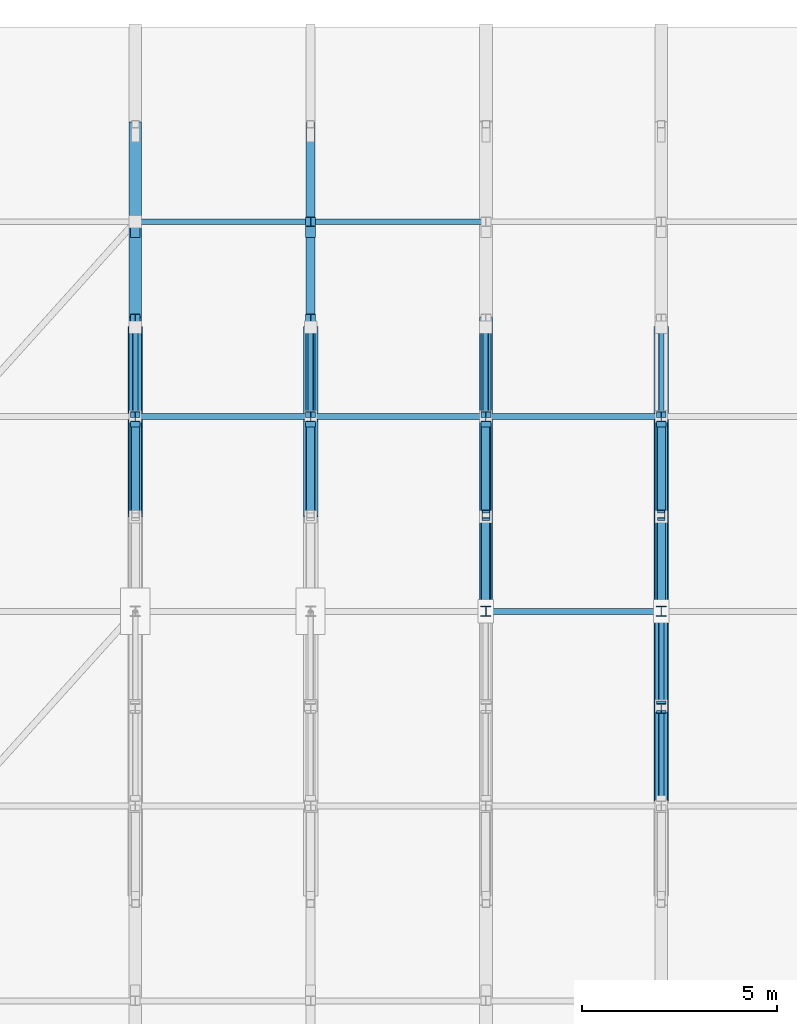
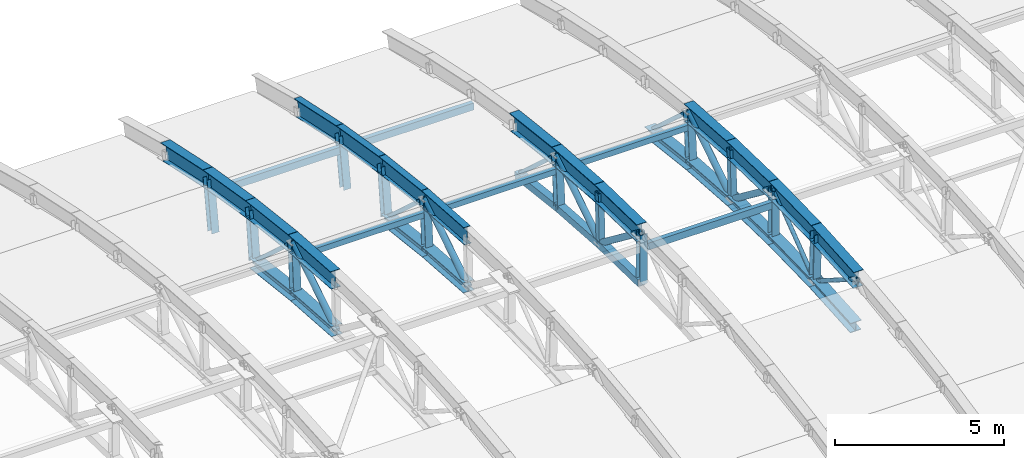
# One storey, part 26 of 53: 43 members, 15 beams.
"""IFC4 building model written with IfcOpenShell, lengths in metres."""

from ifc_helpers import new_model, si_unit, direction, frame, origin, origin_2d, place, context, subcontext, project, spatial, hollow_rectangle, hollow_circle, i_section, extrude, material, material_profile, profile_set, type_object, element, save


model = new_model("IFC4")

# Units and contexts
model_context = context("Model", 3, precision=1e-05, world=origin(), true_north=direction((0.0, 1.0)))
body_context = subcontext(model_context, "Body", "Model", "MODEL_VIEW")
ifc_project = project(units=[si_unit("LENGTHUNIT", "METRE"), si_unit("AREAUNIT", "SQUARE_METRE"), si_unit("VOLUMEUNIT", "CUBIC_METRE"), si_unit("PLANEANGLEUNIT", "RADIAN"), si_unit("MASSUNIT", "GRAM", prefix="KILO")], contexts=[model_context])

# Site, building, storey
site_placement = place(None, origin())
site = spatial("IfcSite", under=ifc_project, at=site_placement, CompositionType="ELEMENT")
building_placement = place(site_placement, origin())
building = spatial("IfcBuilding", under=site, at=building_placement, Name="Cazmaro Siding Exhibition Halls", CompositionType="ELEMENT")
storey_placement = place(building_placement, frame((0.0, 0.0, 21.0)))
storey = spatial("IfcBuildingStorey", under=building, at=storey_placement, Name="L04", CompositionType="ELEMENT", Elevation=21.0)

# Beams
ifc_material_1 = material(Name="Steel ASTM A992 Grade 50", Category="steel")
ifc_material_profile_1 = material_profile(ifc_material_1, i_section(OverallWidth=0.327880859375, OverallDepth=0.626953125, WebThickness=0.01708984375, FlangeThickness=0.028076171875, at=origin_2d()), Name="W24X146")
ifc_profile_set_1 = profile_set([ifc_material_profile_1], Name="Steel ASTM A992 Grade 50")
beam_type_1 = type_object("IfcBeamType", Name="AR-01", PredefinedType="USERDEFINED", material=ifc_profile_set_1)
beam_1_placement = place(storey_placement, frame((153.0, 94.0, 2.5), z_axis=(0.0, 0.999730009742, -0.023235912336), x_axis=(-1.0, 0.0, 0.0)))
element("IfcBeam", 1, at=beam_1_placement, inside=storey, type_object=beam_type_1, Name="Space frame barrel vault arched rib AR-01 BM-1123", ObjectType="ARCHED RIB", PredefinedType="USERDEFINED", context=body_context, shape_type="SweptSolid", body=[
    extrude(i_section(OverallWidth=0.327880859375, OverallDepth=0.626953125, WebThickness=0.01708984375, FlangeThickness=0.028076171875, at=origin_2d()), origin(), (0.0, 0.0, 1.0), 2.500732421875),
])
beam_2_placement = place(storey_placement, frame((153.0, 96.5, 2.44189453125), z_axis=(0.0, 0.997537204184, -0.070139334669), x_axis=(-1.0, 0.0, 0.0)))
element("IfcBeam", 2, at=beam_2_placement, inside=storey, type_object=beam_type_1, Name="Space frame barrel vault arched rib AR-01 BM-1124", ObjectType="ARCHED RIB", PredefinedType="USERDEFINED", context=body_context, shape_type="SweptSolid", body=[
    extrude(i_section(OverallWidth=0.327880859375, OverallDepth=0.626953125, WebThickness=0.01708984375, FlangeThickness=0.028076171875, at=origin_2d()), origin(), (0.0, 0.0, 1.0), 2.506103515625),
])
beam_3_placement = place(storey_placement, frame((153.0, 99.0, 2.26611328125), z_axis=(0.0, 0.993147293786, -0.116869383693), x_axis=(-1.0, 0.0, 0.0)))
element("IfcBeam", 3, at=beam_3_placement, inside=storey, type_object=beam_type_1, Name="Space frame barrel vault arched rib AR-01 BM-1125", ObjectType="ARCHED RIB", PredefinedType="USERDEFINED", context=body_context, shape_type="SweptSolid", body=[
    extrude(i_section(OverallWidth=0.327880859375, OverallDepth=0.626953125, WebThickness=0.01708984375, FlangeThickness=0.028076171875, at=origin_2d()), origin(), (0.0, 0.0, 1.0), 2.517333984375),
])
ifc_material_2 = material(Name="Steel ASTM A992 Grade 50", Category="steel")
ifc_material_profile_2 = material_profile(ifc_material_2, i_section(OverallWidth=0.324951171875, OverallDepth=0.612060546875, WebThickness=0.012939453125, FlangeThickness=0.01904296875, at=origin_2d()), Name="W24X104")
ifc_profile_set_2 = profile_set([ifc_material_profile_2], Name="Steel ASTM A992 Grade 50")
beam_type_2 = type_object("IfcBeamType", Name="AR-02", PredefinedType="USERDEFINED", material=ifc_profile_set_2)
beam_4_placement = place(storey_placement, frame((144.0, 96.5, 2.44189453125), z_axis=(0.0, 0.997537204184, -0.070139334669), x_axis=(-1.0, 0.0, 0.0)))
element("IfcBeam", 4, at=beam_4_placement, inside=storey, type_object=beam_type_2, Name="Space frame barrel vault arched rib AR-02 BM-1076", ObjectType="ARCHED RIB", PredefinedType="USERDEFINED", context=body_context, shape_type="SweptSolid", body=[
    extrude(i_section(OverallWidth=0.324951171875, OverallDepth=0.612060546875, WebThickness=0.012939453125, FlangeThickness=0.01904296875, at=origin_2d()), origin(), (0.0, 0.0, 1.0), 2.506103515625),
])
beam_5_placement = place(storey_placement, frame((144.0, 99.0, 2.26611328125), z_axis=(0.0, 0.993147293786, -0.116869383693), x_axis=(-1.0, 0.0, 0.0)))
element("IfcBeam", 5, at=beam_5_placement, inside=storey, type_object=beam_type_2, Name="Space frame barrel vault arched rib AR-02 BM-1077", ObjectType="ARCHED RIB", PredefinedType="USERDEFINED", context=body_context, shape_type="SweptSolid", body=[
    extrude(i_section(OverallWidth=0.324951171875, OverallDepth=0.612060546875, WebThickness=0.012939453125, FlangeThickness=0.01904296875, at=origin_2d()), origin(), (0.0, 0.0, 1.0), 2.517333984375),
])
beam_6_placement = place(storey_placement, frame((144.0, 101.5, 1.971923828125), z_axis=(0.0, 0.98649787474, -0.163774061236), x_axis=(-1.0, 0.0, 0.0)))
element("IfcBeam", 6, at=beam_6_placement, inside=storey, type_object=beam_type_2, Name="Space frame barrel vault arched rib AR-02 BM-1078", ObjectType="ARCHED RIB", PredefinedType="USERDEFINED", context=body_context, shape_type="SweptSolid", body=[
    extrude(i_section(OverallWidth=0.324951171875, OverallDepth=0.612060546875, WebThickness=0.012939453125, FlangeThickness=0.01904296875, at=origin_2d()), origin(), (0.0, 0.0, 1.0), 2.5341796875),
])
beam_7_placement = place(storey_placement, frame((144.0, 104.0, 1.556884765625), z_axis=(0.0, 0.977710100146, -0.209959424826), x_axis=(-1.0, 0.0, 0.0)))
element("IfcBeam", 7, at=beam_7_placement, inside=storey, type_object=beam_type_2, Name="Space frame barrel vault arched rib AR-02 BM-1079", ObjectType="ARCHED RIB", PredefinedType="USERDEFINED", context=body_context, shape_type="SweptSolid", body=[
    extrude(i_section(OverallWidth=0.324951171875, OverallDepth=0.612060546875, WebThickness=0.012939453125, FlangeThickness=0.01904296875, at=origin_2d()), origin(), (0.0, 0.0, 1.0), 2.556884765625),
])
beam_8_placement = place(storey_placement, frame((157.5, 89.0, 2.26611328125), z_axis=(0.0, 0.997537204184, 0.070139334669), x_axis=(-1.0, 0.0, 0.0)))
element("IfcBeam", 8, at=beam_8_placement, inside=storey, type_object=beam_type_2, Name="Space frame barrel vault arched rib AR-02 BM-1145", ObjectType="ARCHED RIB", PredefinedType="USERDEFINED", context=body_context, shape_type="SweptSolid", body=[
    extrude(i_section(OverallWidth=0.324951171875, OverallDepth=0.612060546875, WebThickness=0.012939453125, FlangeThickness=0.01904296875, at=origin_2d()), origin(), (0.0, 0.0, 1.0), 2.506103515625),
])
for number, where, z_axis, x_axis, name in (
    (9, (157.5, 91.5, 2.44189453125), (0.0, 0.999730009742, 0.023235912336), (-1.0, 0.0, 0.0), "Space frame barrel vault arched rib AR-02 BM-1146"),
    (10, (157.5, 94.0, 2.5), (0.0, 0.999730009742, -0.023235912336), (-1.0, 0.0, 0.0), "Space frame barrel vault arched rib AR-02 BM-1147"),
):
    element("IfcBeam", number, at=place(storey_placement, frame(where, z_axis=z_axis, x_axis=x_axis)), inside=storey, type_object=beam_type_2, Name=name, ObjectType="ARCHED RIB", PredefinedType="USERDEFINED", context=body_context, shape_type="SweptSolid", body=[
        extrude(i_section(OverallWidth=0.324951171875, OverallDepth=0.612060546875, WebThickness=0.012939453125, FlangeThickness=0.01904296875, at=origin_2d()), origin(), (0.0, 0.0, 1.0), 2.500732421875),
    ])
beam_9_placement = place(storey_placement, frame((157.5, 96.5, 2.44189453125), z_axis=(0.0, 0.997537204184, -0.070139334669), x_axis=(-1.0, 0.0, 0.0)))
element("IfcBeam", 11, at=beam_9_placement, inside=storey, type_object=beam_type_2, Name="Space frame barrel vault arched rib AR-02 BM-1148", ObjectType="ARCHED RIB", PredefinedType="USERDEFINED", context=body_context, shape_type="SweptSolid", body=[
    extrude(i_section(OverallWidth=0.324951171875, OverallDepth=0.612060546875, WebThickness=0.012939453125, FlangeThickness=0.01904296875, at=origin_2d()), origin(), (0.0, 0.0, 1.0), 2.506103515625),
])
ifc_material_3 = material(Name="Steel ASTM A992 Grade 50", Category="steel")
ifc_material_profile_3 = material_profile(ifc_material_3, i_section(OverallWidth=0.22900390625, OverallDepth=0.612060546875, WebThickness=0.011962890625, FlangeThickness=0.02001953125, at=origin_2d()), Name="W24X84")
ifc_profile_set_3 = profile_set([ifc_material_profile_3], Name="Steel ASTM A992 Grade 50")
beam_type_3 = type_object("IfcBeamType", Name="AR-03", PredefinedType="USERDEFINED", material=ifc_profile_set_3)
beam_10_placement = place(storey_placement, frame((148.5, 96.5, 2.44189453125), z_axis=(0.0, 0.997537204184, -0.070139334669), x_axis=(-1.0, 0.0, 0.0)))
element("IfcBeam", 12, at=beam_10_placement, inside=storey, type_object=beam_type_3, Name="Space frame barrel vault arched rib AR-03 BM-1100", ObjectType="ARCHED RIB", PredefinedType="USERDEFINED", context=body_context, shape_type="SweptSolid", body=[
    extrude(i_section(OverallWidth=0.22900390625, OverallDepth=0.612060546875, WebThickness=0.011962890625, FlangeThickness=0.02001953125, at=origin_2d()), origin(), (0.0, 0.0, 1.0), 2.506103515625),
])
beam_11_placement = place(storey_placement, frame((148.5, 99.0, 2.26611328125), z_axis=(0.0, 0.993147293786, -0.116869383693), x_axis=(-1.0, 0.0, 0.0)))
element("IfcBeam", 13, at=beam_11_placement, inside=storey, type_object=beam_type_3, Name="Space frame barrel vault arched rib AR-03 BM-1101", ObjectType="ARCHED RIB", PredefinedType="USERDEFINED", context=body_context, shape_type="SweptSolid", body=[
    extrude(i_section(OverallWidth=0.22900390625, OverallDepth=0.612060546875, WebThickness=0.011962890625, FlangeThickness=0.02001953125, at=origin_2d()), origin(), (0.0, 0.0, 1.0), 2.517333984375),
])
beam_12_placement = place(storey_placement, frame((148.5, 101.5, 1.971923828125), z_axis=(0.0, 0.98649787474, -0.163774061236), x_axis=(-1.0, 0.0, 0.0)))
element("IfcBeam", 14, at=beam_12_placement, inside=storey, type_object=beam_type_3, Name="Space frame barrel vault arched rib AR-03 BM-1102", ObjectType="ARCHED RIB", PredefinedType="USERDEFINED", context=body_context, shape_type="SweptSolid", body=[
    extrude(i_section(OverallWidth=0.22900390625, OverallDepth=0.612060546875, WebThickness=0.011962890625, FlangeThickness=0.02001953125, at=origin_2d()), origin(), (0.0, 0.0, 1.0), 2.5341796875),
])
beam_13_placement = place(storey_placement, frame((148.5, 104.0, 1.556884765625), z_axis=(0.0, 0.977710100146, -0.209959424826), x_axis=(-1.0, 0.0, 0.0)))
element("IfcBeam", 15, at=beam_13_placement, inside=storey, type_object=beam_type_3, Name="Space frame barrel vault arched rib AR-03 BM-1103", ObjectType="ARCHED RIB", PredefinedType="USERDEFINED", context=body_context, shape_type="SweptSolid", body=[
    extrude(i_section(OverallWidth=0.22900390625, OverallDepth=0.612060546875, WebThickness=0.011962890625, FlangeThickness=0.02001953125, at=origin_2d()), origin(), (0.0, 0.0, 1.0), 2.556884765625),
])

# Members
ifc_material_4 = material(Name="Steel ASTM A500 Grade C", Category="steel")
ifc_material_profile_4 = material_profile(ifc_material_4, hollow_rectangle(XDim=0.152099609375, YDim=0.202880859375, WallThickness=0.011962890625, at=origin_2d()), Name="HSS8X6X1/2")
ifc_profile_set_4 = profile_set([ifc_material_profile_4], Name="Steel ASTM A500 Grade C")
member_type_1 = type_object("IfcMemberType", Name="RP-01", PredefinedType="PURLIN", material=ifc_profile_set_4)
for number, where, z_axis, x_axis, name in (
    (16, (144.0, 99.0, 1.72607421875), (1.0, 0.0, 0.0), (0.0, 1.0, 0.0), "Space frame barrel vault purlin RP-01 MEM-2236"),
    (17, (148.5, 99.0, 1.72607421875), (1.0, 0.0, 0.0), (0.0, 1.0, 0.0), "Space frame barrel vault purlin RP-01 MEM-2247"),
    (18, (153.0, 99.0, 1.72607421875), (1.0, 0.0, 0.0), (0.0, 1.0, 0.0), "Space frame barrel vault purlin RP-01 MEM-2258"),
):
    element("IfcMember", number, at=place(storey_placement, frame(where, z_axis=z_axis, x_axis=x_axis)), inside=storey, type_object=member_type_1, Name=name, PredefinedType="PURLIN", context=body_context, shape_type="SweptSolid", body=[
        extrude(hollow_rectangle(XDim=0.152099609375, YDim=0.202880859375, WallThickness=0.011962890625, at=origin_2d()), origin(), (0.0, 0.0, 1.0), 4.5),
    ])
ifc_material_5 = material(Name="Steel ASTM A500 Grade C", Category="steel")
ifc_material_profile_5 = material_profile(ifc_material_5, hollow_rectangle(XDim=0.152099609375, YDim=0.25390625, WallThickness=0.011962890625, at=origin_2d()), Name="HSS10X6X1/2")
ifc_profile_set_5 = profile_set([ifc_material_profile_5], Name="Steel ASTM A500 Grade C")
member_type_2 = type_object("IfcMemberType", Name="RP-04", PredefinedType="PURLIN", material=ifc_profile_set_5)
for number, where, z_axis, x_axis, name in (
    (19, (144.0, 104.0, 1.01708984375), (1.0, 0.0, 0.0), (0.0, 1.0, 0.0), "Space frame barrel vault purlin RP-04 MEM-2237"),
    (20, (148.5, 104.0, 1.01708984375), (1.0, 0.0, 0.0), (0.0, 1.0, 0.0), "Space frame barrel vault purlin RP-04 MEM-2248"),
    (21, (153.0, 94.0, 1.9599609375), (1.0, 0.0, 0.0), (0.0, 1.0, 0.0), "Space frame barrel vault purlin RP-04 MEM-2257"),
):
    element("IfcMember", number, at=place(storey_placement, frame(where, z_axis=z_axis, x_axis=x_axis)), inside=storey, type_object=member_type_2, Name=name, PredefinedType="PURLIN", context=body_context, shape_type="SweptSolid", body=[
        extrude(hollow_rectangle(XDim=0.152099609375, YDim=0.25390625, WallThickness=0.011962890625, at=origin_2d()), origin(), (0.0, 0.0, 1.0), 4.5),
    ])
ifc_material_6 = material(Name="Steel ASTM A500 Grade C", Category="steel")
ifc_material_profile_6 = material_profile(ifc_material_6, hollow_rectangle(XDim=0.25390625, YDim=0.25390625, WallThickness=0.014892578125, at=origin_2d()), Name="HSS10X10X5/8")
ifc_profile_set_6 = profile_set([ifc_material_profile_6], Name="Steel ASTM A500 Grade C")
member_type_3 = type_object("IfcMemberType", Name="TC-01", PredefinedType="CHORD", material=ifc_profile_set_6)
member_1_placement = place(storey_placement, frame((153.0, 94.0, 0.699951171875), z_axis=(0.0, 0.99973541783, -0.023002050707), x_axis=(-1.0, 0.0, 0.0)))
element("IfcMember", 22, at=member_1_placement, inside=storey, type_object=member_type_3, Name="Space frame barrel vault bottom chord TC-01 MEM-1681", PredefinedType="CHORD", context=body_context, shape_type="SweptSolid", body=[
    extrude(hollow_rectangle(XDim=0.25390625, YDim=0.25390625, WallThickness=0.014892578125, at=origin_2d()), origin(), (0.0, 0.0, 1.0), 2.4306640625),
])
member_2_placement = place(storey_placement, frame((153.0, 96.429931640625, 0.64404296875), z_axis=(0.0, 0.997529419526, -0.070249962135), x_axis=(-1.0, 0.0, 0.0)))
element("IfcMember", 23, at=member_2_placement, inside=storey, type_object=member_type_3, Name="Space frame barrel vault bottom chord TC-01 MEM-1683", PredefinedType="CHORD", context=body_context, shape_type="SweptSolid", body=[
    extrude(hollow_rectangle(XDim=0.25390625, YDim=0.25390625, WallThickness=0.014892578125, at=origin_2d()), origin(), (0.0, 0.0, 1.0), 2.436279296875),
])
member_3_placement = place(storey_placement, frame((153.0, 98.860107421875, 0.472900390625), z_axis=(0.0, 0.993149923187, -0.116847037079), x_axis=(-1.0, 0.0, 0.0)))
element("IfcMember", 24, at=member_3_placement, inside=storey, type_object=member_type_3, Name="Space frame barrel vault bottom chord TC-01 MEM-1685", PredefinedType="CHORD", context=body_context, shape_type="SweptSolid", body=[
    extrude(hollow_rectangle(XDim=0.25390625, YDim=0.25390625, WallThickness=0.014892578125, at=origin_2d()), origin(), (0.0, 0.0, 1.0), 2.44677734375),
])
ifc_material_7 = material(Name="Steel ASTM A992 Grade 50", Category="steel")
ifc_material_profile_7 = material_profile(ifc_material_7, i_section(OverallWidth=0.37109375, OverallDepth=0.364013671875, WebThickness=0.012939453125, FlangeThickness=0.02197265625, at=origin_2d()), Name="W14X109")
ifc_profile_set_7 = profile_set([ifc_material_profile_7], Name="Steel ASTM A992 Grade 50")
member_type_4 = type_object("IfcMemberType", Name="TC-06", PredefinedType="CHORD", material=ifc_profile_set_7)
member_4_placement = place(storey_placement, frame((144.0, 96.429931640625, 0.64404296875), z_axis=(0.0, 0.997529419526, -0.070249962135), x_axis=(-1.0, 0.0, 0.0)))
element("IfcMember", 25, at=member_4_placement, inside=storey, type_object=member_type_4, Name="Space frame barrel vault bottom chord TC-06 MEM-1541", PredefinedType="CHORD", context=body_context, shape_type="SweptSolid", body=[
    extrude(i_section(OverallWidth=0.37109375, OverallDepth=0.364013671875, WebThickness=0.012939453125, FlangeThickness=0.02197265625, at=origin_2d()), origin(), (0.0, 0.0, 1.0), 2.436279296875),
])
member_5_placement = place(storey_placement, frame((144.0, 98.860107421875, 0.472900390625), z_axis=(0.0, 0.993149923187, -0.116847037079), x_axis=(-1.0, 0.0, 0.0)))
element("IfcMember", 26, at=member_5_placement, inside=storey, type_object=member_type_4, Name="Space frame barrel vault bottom chord TC-06 MEM-1543", PredefinedType="CHORD", context=body_context, shape_type="SweptSolid", body=[
    extrude(i_section(OverallWidth=0.37109375, OverallDepth=0.364013671875, WebThickness=0.012939453125, FlangeThickness=0.02197265625, at=origin_2d()), origin(), (0.0, 0.0, 1.0), 2.44677734375),
])
member_6_placement = place(storey_placement, frame((148.5, 96.429931640625, 0.64404296875), z_axis=(0.0, 0.997529419526, -0.070249962135), x_axis=(-1.0, 0.0, 0.0)))
element("IfcMember", 27, at=member_6_placement, inside=storey, type_object=member_type_4, Name="Space frame barrel vault bottom chord TC-06 MEM-1612", PredefinedType="CHORD", context=body_context, shape_type="SweptSolid", body=[
    extrude(i_section(OverallWidth=0.37109375, OverallDepth=0.364013671875, WebThickness=0.012939453125, FlangeThickness=0.02197265625, at=origin_2d()), origin(), (0.0, 0.0, 1.0), 2.436279296875),
])
member_7_placement = place(storey_placement, frame((148.5, 98.860107421875, 0.472900390625), z_axis=(0.0, 0.993149923187, -0.116847037079), x_axis=(-1.0, 0.0, 0.0)))
element("IfcMember", 28, at=member_7_placement, inside=storey, type_object=member_type_4, Name="Space frame barrel vault bottom chord TC-06 MEM-1614", PredefinedType="CHORD", context=body_context, shape_type="SweptSolid", body=[
    extrude(i_section(OverallWidth=0.37109375, OverallDepth=0.364013671875, WebThickness=0.012939453125, FlangeThickness=0.02197265625, at=origin_2d()), origin(), (0.0, 0.0, 1.0), 2.44677734375),
])
member_8_placement = place(storey_placement, frame((157.5, 89.139892578125, 0.472900390625), z_axis=(0.0, 0.997529419526, 0.070249962135), x_axis=(-1.0, 0.0, 0.0)))
element("IfcMember", 29, at=member_8_placement, inside=storey, type_object=member_type_4, Name="Space frame barrel vault bottom chord TC-06 MEM-1748", PredefinedType="CHORD", context=body_context, shape_type="SweptSolid", body=[
    extrude(i_section(OverallWidth=0.37109375, OverallDepth=0.364013671875, WebThickness=0.012939453125, FlangeThickness=0.02197265625, at=origin_2d()), origin(), (0.0, 0.0, 1.0), 2.436279296875),
])
for number, where, z_axis, x_axis, name in (
    (30, (157.5, 91.570068359375, 0.64404296875), (0.0, 0.99973541783, 0.023002050707), (-1.0, 0.0, 0.0), "Space frame barrel vault bottom chord TC-06 MEM-1750"),
    (31, (157.5, 94.0, 0.699951171875), (0.0, 0.99973541783, -0.023002050707), (-1.0, 0.0, 0.0), "Space frame barrel vault bottom chord TC-06 MEM-1752"),
):
    element("IfcMember", number, at=place(storey_placement, frame(where, z_axis=z_axis, x_axis=x_axis)), inside=storey, type_object=member_type_4, Name=name, PredefinedType="CHORD", context=body_context, shape_type="SweptSolid", body=[
        extrude(i_section(OverallWidth=0.37109375, OverallDepth=0.364013671875, WebThickness=0.012939453125, FlangeThickness=0.02197265625, at=origin_2d()), origin(), (0.0, 0.0, 1.0), 2.4306640625),
    ])
member_9_placement = place(storey_placement, frame((157.5, 96.429931640625, 0.64404296875), z_axis=(0.0, 0.997529419526, -0.070249962135), x_axis=(-1.0, 0.0, 0.0)))
element("IfcMember", 32, at=member_9_placement, inside=storey, type_object=member_type_4, Name="Space frame barrel vault bottom chord TC-06 MEM-1754", PredefinedType="CHORD", context=body_context, shape_type="SweptSolid", body=[
    extrude(i_section(OverallWidth=0.37109375, OverallDepth=0.364013671875, WebThickness=0.012939453125, FlangeThickness=0.02197265625, at=origin_2d()), origin(), (0.0, 0.0, 1.0), 2.436279296875),
])
member_10_placement = place(storey_placement, frame((157.5, 98.860107421875, 0.472900390625), z_axis=(0.0, 0.993149923187, -0.116847037079), x_axis=(-1.0, 0.0, 0.0)))
element("IfcMember", 33, at=member_10_placement, inside=storey, type_object=member_type_4, Name="Space frame barrel vault bottom chord TC-06 MEM-1756", PredefinedType="CHORD", context=body_context, shape_type="SweptSolid", body=[
    extrude(i_section(OverallWidth=0.37109375, OverallDepth=0.364013671875, WebThickness=0.012939453125, FlangeThickness=0.02197265625, at=origin_2d()), origin(), (0.0, 0.0, 1.0), 2.44677734375),
])
ifc_material_8 = material(Name="Steel ASTM A500 Grade C", Category="steel")
ifc_material_profile_8 = material_profile(ifc_material_8, hollow_rectangle(XDim=0.202880859375, YDim=0.202880859375, WallThickness=0.011962890625, at=origin_2d()), Name="HSS8X8X1/2")
ifc_profile_set_8 = profile_set([ifc_material_profile_8], Name="Steel ASTM A500 Grade C")
member_type_5 = type_object("IfcMemberType", Name="TP-01", PredefinedType="POST", material=ifc_profile_set_8)
for number, where, z_axis, x_axis, name in (
    (34, (153.0, 96.429931640625, 0.64404296875), (0.0, 0.038943818889, 0.999241401749), (-1.0, 0.0, 0.0), "Space frame barrel vault post TP-01 MEM-1717"),
    (35, (157.5, 96.429931640625, 0.64404296875), (0.0, 0.038943818889, 0.999241401749), (-1.0, 0.0, 0.0), "Space frame barrel vault post TP-01 MEM-1788"),
):
    element("IfcMember", number, at=place(storey_placement, frame(where, z_axis=z_axis, x_axis=x_axis)), inside=storey, type_object=member_type_5, Name=name, PredefinedType="POST", context=body_context, shape_type="SweptSolid", body=[
        extrude(hollow_rectangle(XDim=0.202880859375, YDim=0.202880859375, WallThickness=0.011962890625, at=origin_2d()), origin(), (0.0, 0.0, 1.0), 1.79931640625),
    ])
ifc_material_9 = material(Name="Steel ASTM A992 Grade 50", Category="steel")
ifc_material_profile_9 = material_profile(ifc_material_9, i_section(OverallWidth=0.25390625, OverallDepth=0.25390625, WebThickness=0.009033203125, FlangeThickness=0.013916015625, at=origin_2d()), Name="W10X49")
ifc_profile_set_9 = profile_set([ifc_material_profile_9], Name="Steel ASTM A992 Grade 50")
member_type_6 = type_object("IfcMemberType", Name="TP-04", PredefinedType="POST", material=ifc_profile_set_9)
member_11_placement = place(storey_placement, frame((144.0, 98.860107421875, 0.472900390625), z_axis=(0.0, 0.077775943468, 0.996970863475), x_axis=(-1.0, 0.0, 0.0)))
element("IfcMember", 36, at=member_11_placement, inside=storey, type_object=member_type_6, Name="Space frame barrel vault post TP-04 MEM-1576", PredefinedType="POST", context=body_context, shape_type="SweptSolid", body=[
    extrude(i_section(OverallWidth=0.25390625, OverallDepth=0.25390625, WebThickness=0.009033203125, FlangeThickness=0.013916015625, at=origin_2d()), origin(), (0.0, 0.0, 1.0), 1.798583984375),
])
member_12_placement = place(storey_placement, frame((144.0, 101.2900390625, 0.18701171875), z_axis=(0.0, 0.116825484133, 0.993152458718), x_axis=(-1.0, 0.0, 0.0)))
element("IfcMember", 37, at=member_12_placement, inside=storey, type_object=member_type_6, Name="Space frame barrel vault post TP-04 MEM-1577", PredefinedType="POST", context=body_context, shape_type="SweptSolid", body=[
    extrude(i_section(OverallWidth=0.25390625, OverallDepth=0.25390625, WebThickness=0.009033203125, FlangeThickness=0.013916015625, at=origin_2d()), origin(), (0.0, 0.0, 1.0), 1.797119140625),
])
member_13_placement = place(storey_placement, frame((144.0, 103.719970703125, -0.217041015625), z_axis=(0.0, 0.155927668857, 0.987768475952), x_axis=(-1.0, 0.0, 0.0)))
element("IfcMember", 38, at=member_13_placement, inside=storey, type_object=member_type_6, Name="Space frame barrel vault post TP-04 MEM-1578", PredefinedType="POST", context=body_context, shape_type="SweptSolid", body=[
    extrude(i_section(OverallWidth=0.25390625, OverallDepth=0.25390625, WebThickness=0.009033203125, FlangeThickness=0.013916015625, at=origin_2d()), origin(), (0.0, 0.0, 1.0), 1.7958984375),
])
member_14_placement = place(storey_placement, frame((148.5, 98.860107421875, 0.472900390625), z_axis=(0.0, 0.077775943468, 0.996970863475), x_axis=(-1.0, 0.0, 0.0)))
element("IfcMember", 39, at=member_14_placement, inside=storey, type_object=member_type_6, Name="Space frame barrel vault post TP-04 MEM-1647", PredefinedType="POST", context=body_context, shape_type="SweptSolid", body=[
    extrude(i_section(OverallWidth=0.25390625, OverallDepth=0.25390625, WebThickness=0.009033203125, FlangeThickness=0.013916015625, at=origin_2d()), origin(), (0.0, 0.0, 1.0), 1.798583984375),
])
member_15_placement = place(storey_placement, frame((148.5, 101.2900390625, 0.18701171875), z_axis=(0.0, 0.116825484133, 0.993152458718), x_axis=(-1.0, 0.0, 0.0)))
element("IfcMember", 40, at=member_15_placement, inside=storey, type_object=member_type_6, Name="Space frame barrel vault post TP-04 MEM-1648", PredefinedType="POST", context=body_context, shape_type="SweptSolid", body=[
    extrude(i_section(OverallWidth=0.25390625, OverallDepth=0.25390625, WebThickness=0.009033203125, FlangeThickness=0.013916015625, at=origin_2d()), origin(), (0.0, 0.0, 1.0), 1.797119140625),
])
member_16_placement = place(storey_placement, frame((148.5, 103.719970703125, -0.217041015625), z_axis=(0.0, 0.155927668857, 0.987768475952), x_axis=(-1.0, 0.0, 0.0)))
element("IfcMember", 41, at=member_16_placement, inside=storey, type_object=member_type_6, Name="Space frame barrel vault post TP-04 MEM-1649", PredefinedType="POST", context=body_context, shape_type="SweptSolid", body=[
    extrude(i_section(OverallWidth=0.25390625, OverallDepth=0.25390625, WebThickness=0.009033203125, FlangeThickness=0.013916015625, at=origin_2d()), origin(), (0.0, 0.0, 1.0), 1.7958984375),
])
member_17_placement = place(storey_placement, frame((153.0, 94.0, 0.699951171875), z_axis=(0.0, 0.0, 1.0), x_axis=(1.0, 0.0, 0.0)))
element("IfcMember", 42, at=member_17_placement, inside=storey, type_object=member_type_6, Name="Space frame barrel vault post TP-04 MEM-1716", PredefinedType="POST", context=body_context, shape_type="SweptSolid", body=[
    extrude(i_section(OverallWidth=0.25390625, OverallDepth=0.25390625, WebThickness=0.009033203125, FlangeThickness=0.013916015625, at=origin_2d()), origin(), (0.0, 0.0, 1.0), 1.800048828125),
])
member_18_placement = place(storey_placement, frame((153.0, 98.860107421875, 0.472900390625), z_axis=(0.0, 0.077775943468, 0.996970863475), x_axis=(-1.0, 0.0, 0.0)))
element("IfcMember", 43, at=member_18_placement, inside=storey, type_object=member_type_6, Name="Space frame barrel vault post TP-04 MEM-1718", PredefinedType="POST", context=body_context, shape_type="SweptSolid", body=[
    extrude(i_section(OverallWidth=0.25390625, OverallDepth=0.25390625, WebThickness=0.009033203125, FlangeThickness=0.013916015625, at=origin_2d()), origin(), (0.0, 0.0, 1.0), 1.798583984375),
])
member_19_placement = place(storey_placement, frame((157.5, 91.570068359375, 0.64404296875), z_axis=(0.0, -0.038943818889, 0.999241401749), x_axis=(1.0, 0.0, 0.0)))
element("IfcMember", 44, at=member_19_placement, inside=storey, type_object=member_type_6, Name="Space frame barrel vault post TP-04 MEM-1786", PredefinedType="POST", context=body_context, shape_type="SweptSolid", body=[
    extrude(i_section(OverallWidth=0.25390625, OverallDepth=0.25390625, WebThickness=0.009033203125, FlangeThickness=0.013916015625, at=origin_2d()), origin(), (0.0, 0.0, 1.0), 1.79931640625),
])
member_20_placement = place(storey_placement, frame((157.5, 94.0, 0.699951171875), z_axis=(0.0, 0.0, 1.0), x_axis=(1.0, 0.0, 0.0)))
element("IfcMember", 45, at=member_20_placement, inside=storey, type_object=member_type_6, Name="Space frame barrel vault post TP-04 MEM-1787", PredefinedType="POST", context=body_context, shape_type="SweptSolid", body=[
    extrude(i_section(OverallWidth=0.25390625, OverallDepth=0.25390625, WebThickness=0.009033203125, FlangeThickness=0.013916015625, at=origin_2d()), origin(), (0.0, 0.0, 1.0), 1.800048828125),
])
member_21_placement = place(storey_placement, frame((157.5, 98.860107421875, 0.472900390625), z_axis=(0.0, 0.077775943468, 0.996970863475), x_axis=(-1.0, 0.0, 0.0)))
element("IfcMember", 46, at=member_21_placement, inside=storey, type_object=member_type_6, Name="Space frame barrel vault post TP-04 MEM-1789", PredefinedType="POST", context=body_context, shape_type="SweptSolid", body=[
    extrude(i_section(OverallWidth=0.25390625, OverallDepth=0.25390625, WebThickness=0.009033203125, FlangeThickness=0.013916015625, at=origin_2d()), origin(), (0.0, 0.0, 1.0), 1.798583984375),
])
ifc_material_10 = material(Name="Steel ASTM A500 Grade C", Category="steel")
ifc_material_profile_10 = material_profile(ifc_material_10, hollow_circle(Radius=0.109619140625, WallThickness=0.012939453125, at=origin_2d()), Name="PIPE8XS")
ifc_profile_set_10 = profile_set([ifc_material_profile_10], Name="Steel ASTM A500 Grade C")
member_type_7 = type_object("IfcMemberType", Name="WB-01", PredefinedType="BRACE", material=ifc_profile_set_10)
for number, where, z_axis, x_axis, name in (
    (47, (144.0, 96.429931640625, 0.64404296875), (0.0, 0.84565684294, 0.533726993872), (-1.0, 0.0, 0.0), "Space frame barrel vault diagonal WB-01 MEM-1542"),
    (48, (148.5, 96.429931640625, 0.64404296875), (0.0, 0.84565684294, 0.533726993872), (-1.0, 0.0, 0.0), "Space frame barrel vault diagonal WB-01 MEM-1613"),
):
    element("IfcMember", number, at=place(storey_placement, frame(where, z_axis=z_axis, x_axis=x_axis)), inside=storey, type_object=member_type_7, Name=name, PredefinedType="BRACE", context=body_context, shape_type="SweptSolid", body=[
        extrude(hollow_circle(Radius=0.109619140625, WallThickness=0.012939453125, at=origin_2d()), origin(), (0.0, 0.0, 1.0), 3.0390625),
    ])
member_22_placement = place(storey_placement, frame((153.0, 94.0, 2.5), z_axis=(0.0, 0.794708988455, -0.60699062898), x_axis=(-1.0, 0.0, 0.0)))
element("IfcMember", 49, at=member_22_placement, inside=storey, type_object=member_type_7, Name="Space frame barrel vault diagonal WB-01 MEM-1682", PredefinedType="BRACE", context=body_context, shape_type="SweptSolid", body=[
    extrude(hollow_circle(Radius=0.109619140625, WallThickness=0.012939453125, at=origin_2d()), origin(), (0.0, 0.0, 1.0), 3.0576171875),
])
member_23_placement = place(storey_placement, frame((153.0, 96.429931640625, 0.64404296875), z_axis=(0.0, 0.84565684294, 0.533726993872), x_axis=(-1.0, 0.0, 0.0)))
element("IfcMember", 50, at=member_23_placement, inside=storey, type_object=member_type_7, Name="Space frame barrel vault diagonal WB-01 MEM-1684", PredefinedType="BRACE", context=body_context, shape_type="SweptSolid", body=[
    extrude(hollow_circle(Radius=0.109619140625, WallThickness=0.012939453125, at=origin_2d()), origin(), (0.0, 0.0, 1.0), 3.0390625),
])
member_24_placement = place(storey_placement, frame((157.5, 94.0, 2.5), z_axis=(0.0, 0.794708988455, -0.60699062898), x_axis=(-1.0, 0.0, 0.0)))
element("IfcMember", 51, at=member_24_placement, inside=storey, type_object=member_type_7, Name="Space frame barrel vault diagonal WB-01 MEM-1753", PredefinedType="BRACE", context=body_context, shape_type="SweptSolid", body=[
    extrude(hollow_circle(Radius=0.109619140625, WallThickness=0.012939453125, at=origin_2d()), origin(), (0.0, 0.0, 1.0), 3.0576171875),
])
member_25_placement = place(storey_placement, frame((157.5, 96.429931640625, 0.64404296875), z_axis=(0.0, 0.84565684294, 0.533726993872), x_axis=(-1.0, 0.0, 0.0)))
element("IfcMember", 52, at=member_25_placement, inside=storey, type_object=member_type_7, Name="Space frame barrel vault diagonal WB-01 MEM-1755", PredefinedType="BRACE", context=body_context, shape_type="SweptSolid", body=[
    extrude(hollow_circle(Radius=0.109619140625, WallThickness=0.012939453125, at=origin_2d()), origin(), (0.0, 0.0, 1.0), 3.0390625),
])
ifc_material_11 = material(Name="Steel ASTM A500 Grade C", Category="steel")
ifc_material_profile_11 = material_profile(ifc_material_11, hollow_circle(Radius=0.070556640625, WallThickness=0.01904296875, at=origin_2d()), Name="PIPE5XXS")
ifc_profile_set_11 = profile_set([ifc_material_profile_11], Name="Steel ASTM A500 Grade C")
member_type_8 = type_object("IfcMemberType", Name="WB-07", PredefinedType="BRACE", material=ifc_profile_set_11)
for number, where, z_axis, x_axis, name in (
    (53, (144.0, 99.0, 2.26611328125), (0.0, 0.740382789782, -0.672185483772), (-1.0, 0.0, 0.0), "Space frame barrel vault diagonal WB-07 MEM-1544"),
    (54, (148.5, 99.0, 2.26611328125), (0.0, 0.740382789782, -0.672185483772), (-1.0, 0.0, 0.0), "Space frame barrel vault diagonal WB-07 MEM-1615"),
    (55, (153.0, 99.0, 2.26611328125), (0.0, 0.740382789782, -0.672185483772), (-1.0, 0.0, 0.0), "Space frame barrel vault diagonal WB-07 MEM-1686"),
):
    element("IfcMember", number, at=place(storey_placement, frame(where, z_axis=z_axis, x_axis=x_axis)), inside=storey, type_object=member_type_8, Name=name, PredefinedType="BRACE", context=body_context, shape_type="SweptSolid", body=[
        extrude(hollow_circle(Radius=0.070556640625, WallThickness=0.01904296875, at=origin_2d()), origin(), (0.0, 0.0, 1.0), 3.093017578125),
    ])
member_26_placement = place(storey_placement, frame((157.5, 89.0, 2.26611328125), z_axis=(0.0, 0.84565684294, -0.533726993872), x_axis=(-1.0, 0.0, 0.0)))
element("IfcMember", 56, at=member_26_placement, inside=storey, type_object=member_type_8, Name="Space frame barrel vault diagonal WB-07 MEM-1749", PredefinedType="BRACE", context=body_context, shape_type="SweptSolid", body=[
    extrude(hollow_circle(Radius=0.070556640625, WallThickness=0.01904296875, at=origin_2d()), origin(), (0.0, 0.0, 1.0), 3.0390625),
])
member_27_placement = place(storey_placement, frame((157.5, 91.570068359375, 0.64404296875), z_axis=(0.0, 0.794708988455, 0.60699062898), x_axis=(-1.0, 0.0, 0.0)))
element("IfcMember", 57, at=member_27_placement, inside=storey, type_object=member_type_8, Name="Space frame barrel vault diagonal WB-07 MEM-1751", PredefinedType="BRACE", context=body_context, shape_type="SweptSolid", body=[
    extrude(hollow_circle(Radius=0.070556640625, WallThickness=0.01904296875, at=origin_2d()), origin(), (0.0, 0.0, 1.0), 3.0576171875),
])
member_28_placement = place(storey_placement, frame((157.5, 99.0, 2.26611328125), z_axis=(0.0, 0.740382789782, -0.672185483772), x_axis=(-1.0, 0.0, 0.0)))
element("IfcMember", 58, at=member_28_placement, inside=storey, type_object=member_type_8, Name="Space frame barrel vault diagonal WB-07 MEM-1757", PredefinedType="BRACE", context=body_context, shape_type="SweptSolid", body=[
    extrude(hollow_circle(Radius=0.070556640625, WallThickness=0.01904296875, at=origin_2d()), origin(), (0.0, 0.0, 1.0), 3.093017578125),
])

save(model, "model.ifc")
